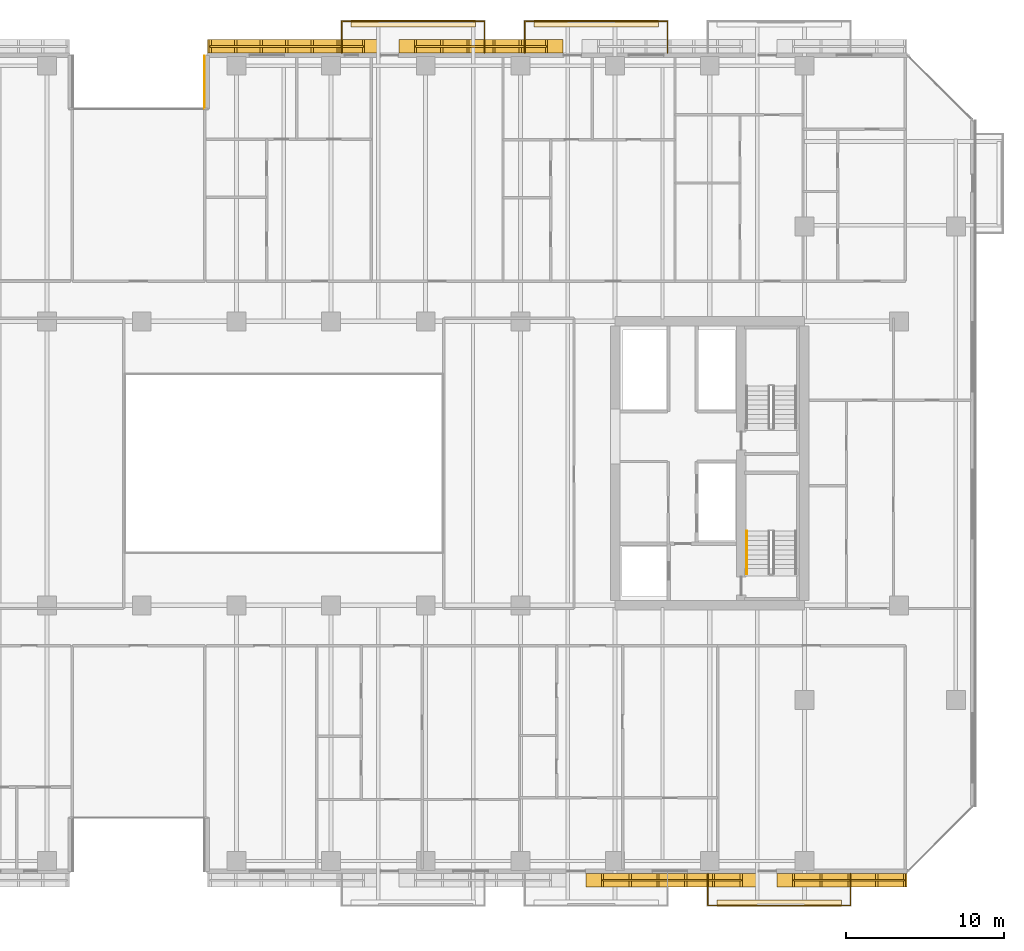
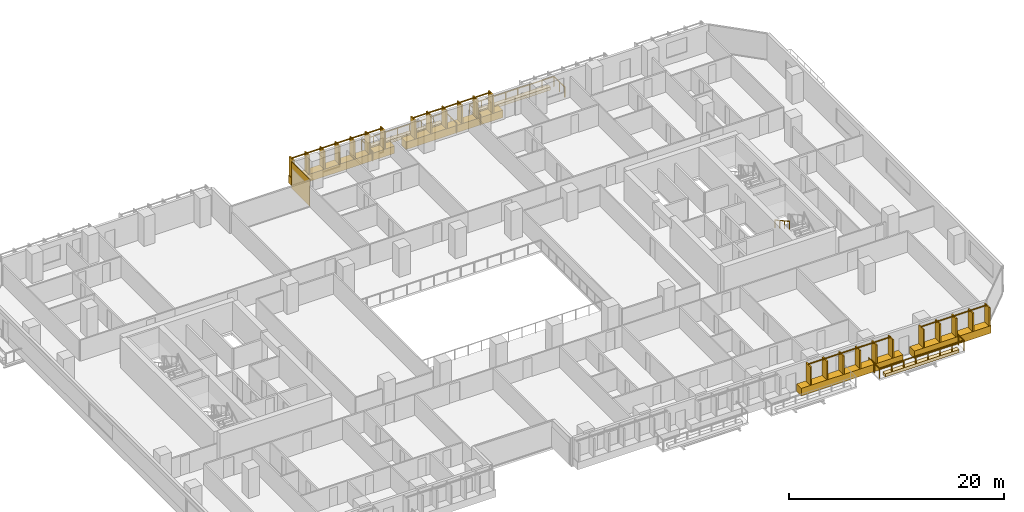
# One storey, part 30 of 33: 8 coverings, 8 railings.
"""IFC4 building model written with IfcOpenShell, lengths in metres."""

from ifc_helpers import new_model, si_unit, direction, frame, origin, origin_2d, place, context, subcontext, project, spatial, polyline, rectangle, outline, extrude, material, layer, layer_set, type_object, element, save


model = new_model("IFC4")

# Units and contexts
model_context = context("Model", 3, precision=1e-05, world=origin(), true_north=direction((0.0, 1.0)))
body_context = subcontext(model_context, "Body", "Model", "MODEL_VIEW")
ifc_project = project(units=[si_unit("LENGTHUNIT", "METRE"), si_unit("AREAUNIT", "SQUARE_METRE"), si_unit("VOLUMEUNIT", "CUBIC_METRE"), si_unit("PLANEANGLEUNIT", "RADIAN"), si_unit("MASSUNIT", "GRAM", prefix="KILO")], contexts=[model_context])

# Site, building, storey
site_placement = place(None, origin())
site = spatial("IfcSite", under=ifc_project, at=site_placement, CompositionType="ELEMENT")
building_placement = place(site_placement, origin())
building = spatial("IfcBuilding", under=site, at=building_placement, Name="Tanjung Sevakor Pilgrim Tower", CompositionType="ELEMENT")
storey_placement = place(building_placement, frame((0.0, 0.0, 52.139892578125)))
storey = spatial("IfcBuildingStorey", under=building, at=storey_placement, Name="L14", CompositionType="ELEMENT", Elevation=52.139892578125)

# Coverings
ifc_material_1 = material(Name="Reconstructed Limestone Cladding", Category="masonry")
ifc_layer_1 = layer(ifc_material_1, 0.044921875)
ifc_layer_set_1 = layer_set([ifc_layer_1], Name="COV-CLAD-LIMESTONE")
covering_type_1 = type_object("IfcCoveringType", Name="COV-CLAD-LIMESTONE", PredefinedType="CLADDING", material=ifc_layer_set_1)
covering_1_placement = place(storey_placement, frame((81.60009765625, 7.169921875, 0.01025390625), z_axis=(0.0, 0.0, 1.0), x_axis=(1.0, 0.0, 0.0)))
element("IfcCovering", 1, at=covering_1_placement, inside=storey, type_object=covering_type_1, Name="L14 Warm Limestone Sill Spandrel EW-L14-MAIN-5-3", PredefinedType="CLADDING", context=body_context, shape_type="SweptSolid", body=[
    extrude(rectangle(XDim=10.8798828125, YDim=0.860107421875, at=origin_2d()), origin(), (0.0, 0.0, 1.0), 0.840087890625),
])
covering_2_placement = place(storey_placement, frame((92.381103515625, 7.169921875, 0.01025390625), z_axis=(0.0, 0.0, 1.0), x_axis=(1.0, 0.0, 0.0)))
element("IfcCovering", 2, at=covering_2_placement, inside=storey, type_object=covering_type_1, Name="L14 Warm Limestone Sill Spandrel EW-L14-MAIN-5-4", PredefinedType="CLADDING", context=body_context, shape_type="SweptSolid", body=[
    extrude(rectangle(XDim=8.241943359375, YDim=0.860107421875, at=origin_2d()), origin(), (0.0, 0.0, 1.0), 0.840087890625),
])
covering_3_placement = place(storey_placement, frame((69.5, 60.030029296875, 0.01025390625), z_axis=(0.0, 0.0, 1.0), x_axis=(-1.0, 0.0, 0.0)))
element("IfcCovering", 3, at=covering_3_placement, inside=storey, type_object=covering_type_1, Name="L14 Warm Limestone Sill Spandrel EW-L14-MAIN-9-3", PredefinedType="CLADDING", context=body_context, shape_type="SweptSolid", body=[
    extrude(rectangle(XDim=10.3798828125, YDim=0.860107421875, at=origin_2d()), origin(), (0.0, 0.0, 1.0), 0.840087890625),
])
covering_4_placement = place(storey_placement, frame((57.635009765625, 60.030029296875, 0.01025390625), z_axis=(0.0, 0.0, 1.0), x_axis=(-1.0, 0.0, 0.0)))
element("IfcCovering", 4, at=covering_4_placement, inside=storey, type_object=covering_type_1, Name="L14 Warm Limestone Sill Spandrel EW-L14-MAIN-9-4", PredefinedType="CLADDING", context=body_context, shape_type="SweptSolid", body=[
    extrude(rectangle(XDim=10.909912109375, YDim=0.860107421875, at=origin_2d()), origin(), (0.0, 0.0, 1.0), 0.840087890625),
])
covering_5_placement = place(storey_placement, frame((51.9775390625, 57.760009765625, 0.02001953125), z_axis=(0.0, 0.0, 1.0), x_axis=(0.0, -1.0, 0.0)))
element("IfcCovering", 5, at=covering_5_placement, inside=storey, type_object=covering_type_1, Name="L14 Warm Limestone Wall Cladding EW-L14-MAIN-10", PredefinedType="CLADDING", context=body_context, shape_type="SweptSolid", body=[
    extrude(rectangle(XDim=3.360107421875, YDim=0.044921875, at=origin_2d()), origin(), (0.0, 0.0, 1.0), 3.0400390625),
])
ifc_material_2 = material(Name="Vegetated Modular Planter Assembly", Category="organic")
ifc_layer_2 = layer(ifc_material_2, 0.35009765625)
ifc_layer_set_2 = layer_set([ifc_layer_2], Name="COV-GRN-TROUGH")
covering_type_2 = type_object("IfcCoveringType", Name="COV-GRN-TROUGH", PredefinedType="CLADDING", material=ifc_layer_set_2)
covering_6_placement = place(storey_placement, origin())
element("IfcCovering", 6, at=covering_6_placement, inside=storey, type_object=covering_type_2, Name="L14 Planted Landscape Hedge Trough BGRN-L14-MAIN-N2", PredefinedType="CLADDING", context=body_context, shape_type="SweptSolid", body=[
    extrude(outline(polyline([(61.25, 61.260009765625), (69.14990234375, 61.260009765625), (69.14990234375, 61.699951171875), (61.25, 61.699951171875), (61.25, 61.260009765625)])), origin(), (0.0, 0.0, 1.0), 0.35009765625),
])
covering_7_placement = place(storey_placement, origin())
element("IfcCovering", 7, at=covering_7_placement, inside=storey, type_object=covering_type_2, Name="L14 Planted Landscape Hedge Trough BGRN-L14-MAIN-N3", PredefinedType="CLADDING", context=body_context, shape_type="SweptSolid", body=[
    extrude(outline(polyline([(72.85009765625, 61.260009765625), (80.75, 61.260009765625), (80.75, 61.699951171875), (72.85009765625, 61.699951171875), (72.85009765625, 61.260009765625)])), origin(), (0.0, 0.0, 1.0), 0.35009765625),
])
covering_8_placement = place(storey_placement, origin())
element("IfcCovering", 8, at=covering_8_placement, inside=storey, type_object=covering_type_2, Name="L14 Planted Landscape Hedge Trough BGRN-L14-MAIN-S4", PredefinedType="CLADDING", context=body_context, shape_type="SweptSolid", body=[
    extrude(outline(polyline([(84.449951171875, 5.5), (92.35009765625, 5.5), (92.35009765625, 5.93994140625), (84.449951171875, 5.93994140625), (84.449951171875, 5.5)])), origin(), (0.0, 0.0, 1.0), 0.35009765625),
])

# Railings
ifc_material_3 = material(Name="Laminated Glass and Aluminium", Category="aluminium")
railing_type_1 = type_object("IfcRailingType", Name="RL-BAL-BALUST", PredefinedType="BALUSTRADE", material=ifc_material_3)
railing_1_placement = place(storey_placement, frame((60.679931640625, 59.60009765625, 0.0)))
element("IfcRailing", 9, at=railing_1_placement, inside=storey, type_object=railing_type_1, Name="L14 Loggia Balustrade MAIN-N2", PredefinedType="BALUSTRADE", context=body_context, shape_type="SweptSolid", body=[
    extrude(rectangle(XDim=0.0479, YDim=0.0479), frame((0.0, 0.0, 1.1259765625), z_axis=(0.0, 1.0, 0.0), x_axis=(-1.0, 0.0, 0.0)), (0.0, 0.0, 1.0), 2.02001953125),
    extrude(rectangle(XDim=0.0479, YDim=0.0479), frame((0.0, 2.02001953125, 1.1259765625), z_axis=(1.0, 0.0, 0.0), x_axis=(0.0, 1.0, 0.0)), (0.0, 0.0, 1.0), 9.0400390625),
    extrude(rectangle(XDim=0.0479, YDim=0.0479), frame((9.0400390625, 2.02001953125, 1.1259765625), z_axis=(0.0, -1.0, 0.0), x_axis=(1.0, 0.0, 0.0)), (0.0, 0.0, 1.0), 2.02001953125),
    extrude(rectangle(XDim=0.042, YDim=0.042), origin(), (0.0, 0.0, 1.0), 1.101806640625),
    extrude(rectangle(XDim=0.042, YDim=0.042), frame((0.0, 1.010009765625, 0.0)), (0.0, 0.0, 1.0), 1.101806640625),
    extrude(rectangle(XDim=0.042, YDim=0.042), frame((0.0, 2.02001953125, 0.0)), (0.0, 0.0, 1.0), 1.101806640625),
    extrude(rectangle(XDim=0.042, YDim=0.042), frame((1.29150390625, 2.02001953125, 0.0)), (0.0, 0.0, 1.0), 1.101806640625),
    extrude(rectangle(XDim=0.042, YDim=0.042), frame((2.582763671875, 2.02001953125, 0.0)), (0.0, 0.0, 1.0), 1.101806640625),
    extrude(rectangle(XDim=0.042, YDim=0.042), frame((3.874267578125, 2.02001953125, 0.0)), (0.0, 0.0, 1.0), 1.101806640625),
    extrude(rectangle(XDim=0.042, YDim=0.042), frame((5.165771484375, 2.02001953125, 0.0)), (0.0, 0.0, 1.0), 1.101806640625),
    extrude(rectangle(XDim=0.042, YDim=0.042), frame((6.457275390625, 2.02001953125, 0.0)), (0.0, 0.0, 1.0), 1.101806640625),
    extrude(rectangle(XDim=0.042, YDim=0.042), frame((7.74853515625, 2.02001953125, 0.0)), (0.0, 0.0, 1.0), 1.101806640625),
    extrude(rectangle(XDim=0.042, YDim=0.042), frame((9.0400390625, 2.02001953125, 0.0)), (0.0, 0.0, 1.0), 1.101806640625),
    extrude(rectangle(XDim=0.042, YDim=0.042), frame((9.0400390625, 1.010009765625, 0.0)), (0.0, 0.0, 1.0), 1.101806640625),
    extrude(rectangle(XDim=0.042, YDim=0.042), frame((9.0400390625, 0.0, 0.0)), (0.0, 0.0, 1.0), 1.101806640625),
])
railing_2_placement = place(storey_placement, frame((72.280029296875, 59.60009765625, 0.0)))
element("IfcRailing", 10, at=railing_2_placement, inside=storey, type_object=railing_type_1, Name="L14 Loggia Balustrade MAIN-N3", PredefinedType="BALUSTRADE", context=body_context, shape_type="SweptSolid", body=[
    extrude(rectangle(XDim=0.0479, YDim=0.0479), frame((0.0, 0.0, 1.1259765625), z_axis=(0.0, 1.0, 0.0), x_axis=(-1.0, 0.0, 0.0)), (0.0, 0.0, 1.0), 2.02001953125),
    extrude(rectangle(XDim=0.0479, YDim=0.0479), frame((0.0, 2.02001953125, 1.1259765625), z_axis=(1.0, 0.0, 0.0), x_axis=(0.0, 1.0, 0.0)), (0.0, 0.0, 1.0), 9.0400390625),
    extrude(rectangle(XDim=0.0479, YDim=0.0479), frame((9.0400390625, 2.02001953125, 1.1259765625), z_axis=(0.0, -1.0, 0.0), x_axis=(1.0, 0.0, 0.0)), (0.0, 0.0, 1.0), 2.02001953125),
    extrude(rectangle(XDim=0.042, YDim=0.042), origin(), (0.0, 0.0, 1.0), 1.101806640625),
    extrude(rectangle(XDim=0.042, YDim=0.042), frame((0.0, 1.010009765625, 0.0)), (0.0, 0.0, 1.0), 1.101806640625),
    extrude(rectangle(XDim=0.042, YDim=0.042), frame((0.0, 2.02001953125, 0.0)), (0.0, 0.0, 1.0), 1.101806640625),
    extrude(rectangle(XDim=0.042, YDim=0.042), frame((1.29150390625, 2.02001953125, 0.0)), (0.0, 0.0, 1.0), 1.101806640625),
    extrude(rectangle(XDim=0.042, YDim=0.042), frame((2.582763671875, 2.02001953125, 0.0)), (0.0, 0.0, 1.0), 1.101806640625),
    extrude(rectangle(XDim=0.042, YDim=0.042), frame((3.874267578125, 2.02001953125, 0.0)), (0.0, 0.0, 1.0), 1.101806640625),
    extrude(rectangle(XDim=0.042, YDim=0.042), frame((5.165771484375, 2.02001953125, 0.0)), (0.0, 0.0, 1.0), 1.101806640625),
    extrude(rectangle(XDim=0.042, YDim=0.042), frame((6.457275390625, 2.02001953125, 0.0)), (0.0, 0.0, 1.0), 1.101806640625),
    extrude(rectangle(XDim=0.042, YDim=0.042), frame((7.74853515625, 2.02001953125, 0.0)), (0.0, 0.0, 1.0), 1.101806640625),
    extrude(rectangle(XDim=0.042, YDim=0.042), frame((9.0400390625, 2.02001953125, 0.0)), (0.0, 0.0, 1.0), 1.101806640625),
    extrude(rectangle(XDim=0.042, YDim=0.042), frame((9.0400390625, 1.010009765625, 0.0)), (0.0, 0.0, 1.0), 1.101806640625),
    extrude(rectangle(XDim=0.042, YDim=0.042), frame((9.0400390625, 0.0, 0.0)), (0.0, 0.0, 1.0), 1.101806640625),
])
railing_3_placement = place(storey_placement, frame((83.8798828125, 7.60009765625, 0.0)))
element("IfcRailing", 11, at=railing_3_placement, inside=storey, type_object=railing_type_1, Name="L14 Loggia Balustrade MAIN-S4", PredefinedType="BALUSTRADE", context=body_context, shape_type="SweptSolid", body=[
    extrude(rectangle(XDim=0.0479, YDim=0.0479), frame((0.0, 0.0, 1.1259765625), z_axis=(0.0, -1.0, 0.0), x_axis=(1.0, 0.0, 0.0)), (0.0, 0.0, 1.0), 2.02001953125),
    extrude(rectangle(XDim=0.0479, YDim=0.0479), frame((0.0, -2.02001953125, 1.1259765625), z_axis=(1.0, 0.0, 0.0), x_axis=(0.0, 1.0, 0.0)), (0.0, 0.0, 1.0), 9.0400390625),
    extrude(rectangle(XDim=0.0479, YDim=0.0479), frame((9.0400390625, -2.02001953125, 1.1259765625), z_axis=(0.0, 1.0, 0.0), x_axis=(-1.0, 0.0, 0.0)), (0.0, 0.0, 1.0), 2.02001953125),
    extrude(rectangle(XDim=0.042, YDim=0.042), origin(), (0.0, 0.0, 1.0), 1.101806640625),
    extrude(rectangle(XDim=0.042, YDim=0.042), frame((0.0, -1.010009765625, 0.0)), (0.0, 0.0, 1.0), 1.101806640625),
    extrude(rectangle(XDim=0.042, YDim=0.042), frame((0.0, -2.02001953125, 0.0)), (0.0, 0.0, 1.0), 1.101806640625),
    extrude(rectangle(XDim=0.042, YDim=0.042), frame((1.29150390625, -2.02001953125, 0.0)), (0.0, 0.0, 1.0), 1.101806640625),
    extrude(rectangle(XDim=0.042, YDim=0.042), frame((2.582763671875, -2.02001953125, 0.0)), (0.0, 0.0, 1.0), 1.101806640625),
    extrude(rectangle(XDim=0.042, YDim=0.042), frame((3.874267578125, -2.02001953125, 0.0)), (0.0, 0.0, 1.0), 1.101806640625),
    extrude(rectangle(XDim=0.042, YDim=0.042), frame((5.165771484375, -2.02001953125, 0.0)), (0.0, 0.0, 1.0), 1.101806640625),
    extrude(rectangle(XDim=0.042, YDim=0.042), frame((6.457275390625, -2.02001953125, 0.0)), (0.0, 0.0, 1.0), 1.101806640625),
    extrude(rectangle(XDim=0.042, YDim=0.042), frame((7.74853515625, -2.02001953125, 0.0)), (0.0, 0.0, 1.0), 1.101806640625),
    extrude(rectangle(XDim=0.042, YDim=0.042), frame((9.0400390625, -2.02001953125, 0.0)), (0.0, 0.0, 1.0), 1.101806640625),
    extrude(rectangle(XDim=0.042, YDim=0.042), frame((9.0400390625, -1.010009765625, 0.0)), (0.0, 0.0, 1.0), 1.101806640625),
    extrude(rectangle(XDim=0.042, YDim=0.042), frame((9.0400390625, 0.0, 0.0)), (0.0, 0.0, 1.0), 1.101806640625),
])
ifc_material_4 = material(Name="Anodised Bronze Aluminium 6063-T6", Category="aluminium")
railing_type_2 = type_object("IfcRailingType", Name="RL-FIN-SCREEN", PredefinedType="BALUSTRADE", material=ifc_material_4)
railing_4_placement = place(storey_placement, frame((77.199951171875, 7.175048828125, 0.840087890625)))
element("IfcRailing", 12, at=railing_4_placement, inside=storey, type_object=railing_type_2, Name="L14 Vertical Bronze-Gold Solar Fin Screen FNSCR-EW-L14-MAIN-5-3", PredefinedType="BALUSTRADE", context=body_context, shape_type="SweptSolid", body=[
    extrude(rectangle(XDim=0.105, YDim=0.105), frame((0.0, 0.0, 2.157470703125), z_axis=(1.0, 0.0, 0.0), x_axis=(0.0, 1.0, 0.0)), (0.0, 0.0, 1.0), 8.800048828125),
    extrude(rectangle(XDim=0.14, YDim=0.85), origin(), (0.0, 0.0, 1.0), 2.10498046875),
    extrude(rectangle(XDim=0.14, YDim=0.85), frame((1.760009765625, 0.0, 0.0)), (0.0, 0.0, 1.0), 2.10498046875),
    extrude(rectangle(XDim=0.14, YDim=0.85), frame((3.52001953125, 0.0, 0.0)), (0.0, 0.0, 1.0), 2.10498046875),
    extrude(rectangle(XDim=0.14, YDim=0.85), frame((5.280029296875, 0.0, 0.0)), (0.0, 0.0, 1.0), 2.10498046875),
    extrude(rectangle(XDim=0.14, YDim=0.85), frame((7.0400390625, 0.0, 0.0)), (0.0, 0.0, 1.0), 2.10498046875),
    extrude(rectangle(XDim=0.14, YDim=0.85), frame((8.800048828125, 0.0, 0.0)), (0.0, 0.0, 1.0), 2.10498046875),
])
railing_5_placement = place(storey_placement, frame((89.300048828125, 7.175048828125, 0.840087890625)))
element("IfcRailing", 13, at=railing_5_placement, inside=storey, type_object=railing_type_2, Name="L14 Vertical Bronze-Gold Solar Fin Screen FNSCR-EW-L14-MAIN-5-4", PredefinedType="BALUSTRADE", context=body_context, shape_type="SweptSolid", body=[
    extrude(rectangle(XDim=0.105, YDim=0.105), frame((0.0, 0.0, 2.157470703125), z_axis=(1.0, 0.0, 0.0), x_axis=(0.0, 1.0, 0.0)), (0.0, 0.0, 1.0), 7.0419921875),
    extrude(rectangle(XDim=0.14, YDim=0.85), origin(), (0.0, 0.0, 1.0), 2.10498046875),
    extrude(rectangle(XDim=0.14, YDim=0.85), frame((1.760498046875, 0.0, 0.0)), (0.0, 0.0, 1.0), 2.10498046875),
    extrude(rectangle(XDim=0.14, YDim=0.85), frame((3.52099609375, 0.0, 0.0)), (0.0, 0.0, 1.0), 2.10498046875),
    extrude(rectangle(XDim=0.14, YDim=0.85), frame((5.281494140625, 0.0, 0.0)), (0.0, 0.0, 1.0), 2.10498046875),
    extrude(rectangle(XDim=0.14, YDim=0.85), frame((7.0419921875, 0.0, 0.0)), (0.0, 0.0, 1.0), 2.10498046875),
])
railing_6_placement = place(storey_placement, frame((73.64990234375, 60.02490234375, 0.840087890625)))
element("IfcRailing", 14, at=railing_6_placement, inside=storey, type_object=railing_type_2, Name="L14 Vertical Bronze-Gold Solar Fin Screen FNSCR-EW-L14-MAIN-9-3", PredefinedType="BALUSTRADE", context=body_context, shape_type="SweptSolid", body=[
    extrude(rectangle(XDim=0.105, YDim=0.105), frame((0.0, 0.0, 2.157470703125), z_axis=(-1.0, 0.0, 0.0), x_axis=(0.0, -1.0, 0.0)), (0.0, 0.0, 1.0), 8.2998046875),
    extrude(rectangle(XDim=0.14, YDim=0.85), origin(), (0.0, 0.0, 1.0), 2.10498046875),
    extrude(rectangle(XDim=0.14, YDim=0.85), frame((-1.659912109375, 0.0, 0.0)), (0.0, 0.0, 1.0), 2.10498046875),
    extrude(rectangle(XDim=0.14, YDim=0.85), frame((-3.31982421875, 0.0, 0.0)), (0.0, 0.0, 1.0), 2.10498046875),
    extrude(rectangle(XDim=0.14, YDim=0.85), frame((-4.97998046875, 0.0, 0.0)), (0.0, 0.0, 1.0), 2.10498046875),
    extrude(rectangle(XDim=0.14, YDim=0.85), frame((-6.639892578125, 0.0, 0.0)), (0.0, 0.0, 1.0), 2.10498046875),
    extrude(rectangle(XDim=0.14, YDim=0.85), frame((-8.2998046875, 0.0, 0.0)), (0.0, 0.0, 1.0), 2.10498046875),
])
railing_7_placement = place(storey_placement, frame((62.050048828125, 60.02490234375, 0.840087890625)))
element("IfcRailing", 15, at=railing_7_placement, inside=storey, type_object=railing_type_2, Name="L14 Vertical Bronze-Gold Solar Fin Screen FNSCR-EW-L14-MAIN-9-4", PredefinedType="BALUSTRADE", context=body_context, shape_type="SweptSolid", body=[
    extrude(rectangle(XDim=0.105, YDim=0.105), frame((0.0, 0.0, 2.157470703125), z_axis=(-1.0, 0.0, 0.0), x_axis=(0.0, -1.0, 0.0)), (0.0, 0.0, 1.0), 9.7099609375),
    extrude(rectangle(XDim=0.14, YDim=0.85), origin(), (0.0, 0.0, 1.0), 2.10498046875),
    extrude(rectangle(XDim=0.14, YDim=0.85), frame((-1.618408203125, 0.0, 0.0)), (0.0, 0.0, 1.0), 2.10498046875),
    extrude(rectangle(XDim=0.14, YDim=0.85), frame((-3.236572265625, 0.0, 0.0)), (0.0, 0.0, 1.0), 2.10498046875),
    extrude(rectangle(XDim=0.14, YDim=0.85), frame((-4.85498046875, 0.0, 0.0)), (0.0, 0.0, 1.0), 2.10498046875),
    extrude(rectangle(XDim=0.14, YDim=0.85), frame((-6.473388671875, 0.0, 0.0)), (0.0, 0.0, 1.0), 2.10498046875),
    extrude(rectangle(XDim=0.14, YDim=0.85), frame((-8.091552734375, 0.0, 0.0)), (0.0, 0.0, 1.0), 2.10498046875),
    extrude(rectangle(XDim=0.14, YDim=0.85), frame((-9.7099609375, 0.0, 0.0)), (0.0, 0.0, 1.0), 2.10498046875),
])
ifc_material_5 = material(Name="Steel S355J2", Category="steel")
railing_type_3 = type_object("IfcRailingType", Name="RL-STAIR-HAND", PredefinedType="HANDRAIL", material=ifc_material_5)
railing_8_placement = place(storey_placement, frame((86.35009765625, 29.300048828125, 1.815185546875)))
element("IfcRailing", 16, at=railing_8_placement, inside=storey, type_object=railing_type_3, Name="L14 TS-E1 stair handrail 2", PredefinedType="HANDRAIL", context=body_context, shape_type="SweptSolid", body=[
    extrude(rectangle(XDim=0.0479, YDim=0.0479), frame((0.0, 0.0, 0.8759765625), z_axis=(0.0, -0.876230963923, 0.481891375584), x_axis=(1.0, 0.0, 0.0)), (0.0, 0.0, 1.0), 3.081298828125),
    extrude(rectangle(XDim=0.042, YDim=0.042), origin(), (0.0, 0.0, 1.0), 0.851806640625),
    extrude(rectangle(XDim=0.042, YDim=0.042), frame((0.0, -0.89990234375, 0.494873046875)), (0.0, 0.0, 1.0), 0.851806640625),
    extrude(rectangle(XDim=0.042, YDim=0.042), frame((0.0, -1.800048828125, 0.989990234375)), (0.0, 0.0, 1.0), 0.851806640625),
    extrude(rectangle(XDim=0.042, YDim=0.042), frame((0.0, -2.699951171875, 1.48486328125)), (0.0, 0.0, 1.0), 0.851806640625),
])

save(model, "model.ifc")
